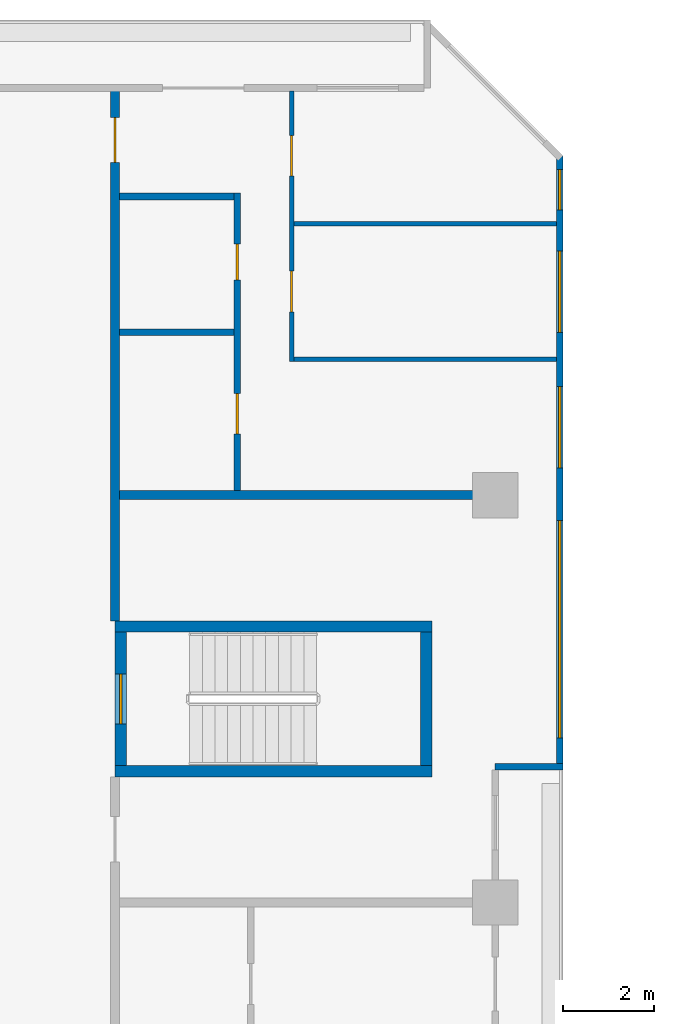
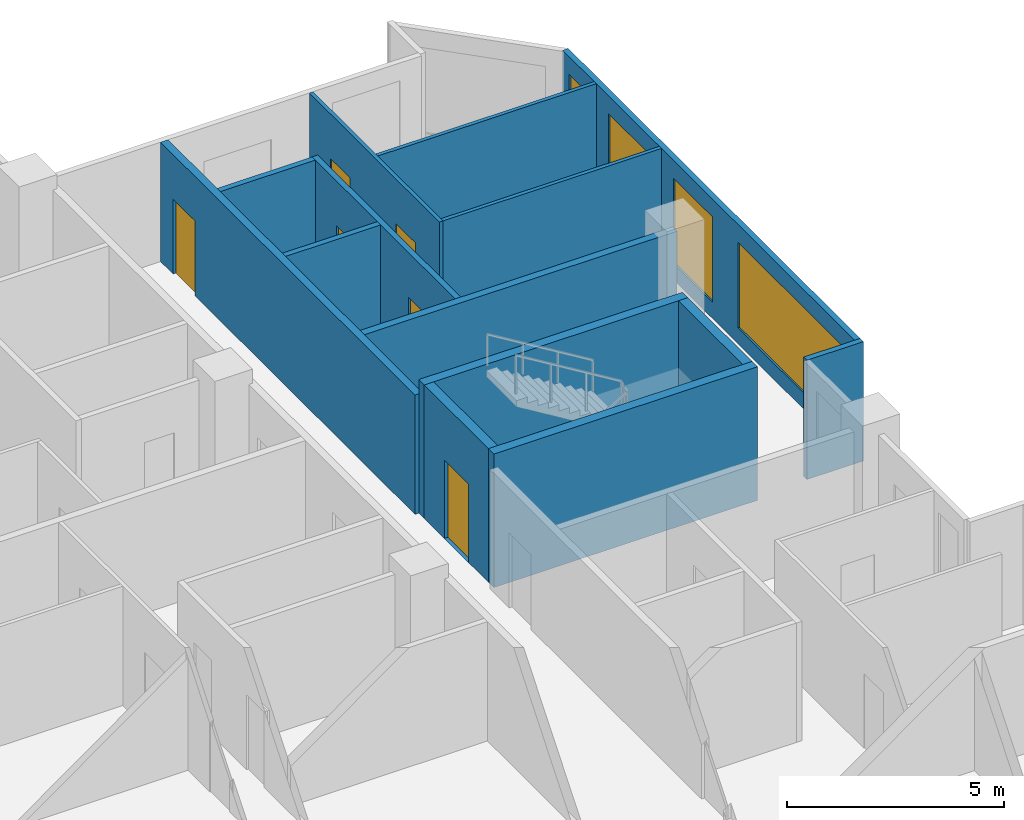
# One storey, part 11 of 16: 14 walls, 6 doors, 4 windows, 10 openings.
"""IFC4 building model written with IfcOpenShell, lengths in metres."""

import ifcopenshell
import ifcopenshell.guid

model = None  # the IFC model being written
_history = None  # IfcOwnerHistory: only IFC2X3 demands one
_inside = {}  # id of a spatial element -> (the spatial element, [elements in it])
_under = {}  # id of a project, library or spatial element -> (it, [spatial elements below it])
_declared = {}  # id of a project -> (the project, [libraries it declares])
_typed = {}  # id of a type object -> (the type object, [elements of that type])
_made_of = {}  # id of a material, layer set ... -> (it, [elements and type objects made of it])


def new_model(schema):
    """Start an empty IFC model of exactly this schema.

    Asked for "IFC4X3", IfcOpenShell would pick the latest addendum, in which some entities
    have other attributes; the version numbers below select the first issue.
    IFC2X3 requires an IfcOwnerHistory on every rooted entity: one is made here for all.
    """
    global model, _history
    if schema == "IFC4X3":
        model = ifcopenshell.file(schema_version=(4, 3, 0, 0))
    else:
        model = ifcopenshell.file(schema=schema)
    _inside.clear()
    _under.clear()
    _declared.clear()
    _typed.clear()
    _made_of.clear()
    _history = None
    if model.schema == "IFC2X3":
        org = make("IfcOrganization", Name="unknown")
        user = make(
            "IfcPersonAndOrganization",
            ThePerson=make("IfcPerson", FamilyName="unknown"),
            TheOrganization=org,
        )
        app = make(
            "IfcApplication",
            ApplicationDeveloper=org,
            Version="unknown",
            ApplicationFullName="unknown",
            ApplicationIdentifier="unknown",
        )
        _history = make(
            "IfcOwnerHistory",
            OwningUser=user,
            OwningApplication=app,
            ChangeAction="ADDED",
            CreationDate=0,
        )
    return model


def make(cls, **values):
    """One entity of the class cls with the attributes given. An attribute that is None is left unset."""
    return model.create_entity(
        cls, **{name: value for name, value in values.items() if value is not None}
    )


def rooted(cls, **values):
    """An entity with a GlobalId (a new one), such as an element, a storey or a relation."""
    return make(cls, GlobalId=ifcopenshell.guid.new(), OwnerHistory=_history, **values)


def si_unit(unit_type, name, prefix=None):
    """IfcSIUnit, for example si_unit("LENGTHUNIT", "METRE", prefix="MILLI")."""
    return make("IfcSIUnit", UnitType=unit_type, Prefix=prefix, Name=name)


def assignment(units):
    """IfcUnitAssignment: the units of a project."""
    return None if units is None else make("IfcUnitAssignment", Units=units)


def point(xyz):
    """IfcCartesianPoint."""
    return None if xyz is None else make("IfcCartesianPoint", Coordinates=xyz)


def direction(xyz):
    """IfcDirection."""
    return None if xyz is None else make("IfcDirection", DirectionRatios=xyz)


def frame(location, z_axis=None, x_axis=None):
    """IfcAxis2Placement3D, a coordinate frame: its origin and axes. An axis left out is left unset."""
    return make(
        "IfcAxis2Placement3D",
        Location=point(location),
        Axis=direction(z_axis),
        RefDirection=direction(x_axis),
    )


def frame_2d(location, x_axis=None):
    """IfcAxis2Placement2D, a coordinate frame in the plane: its origin and x axis."""
    return make(
        "IfcAxis2Placement2D", Location=point(location), RefDirection=direction(x_axis)
    )


def origin():
    """The frame at (0, 0, 0) with its axes left unset."""
    return frame((0.0, 0.0, 0.0))


def place(relative_to, where):
    """IfcLocalPlacement: puts the frame where relative to a parent placement (None: the world)."""
    return make(
        "IfcLocalPlacement", PlacementRelTo=relative_to, RelativePlacement=where
    )


def context(
    kind, dimensions, precision=None, world=None, true_north=None, identifier=None
):
    """IfcGeometricRepresentationContext, for example the 3D "Model" context."""
    return make(
        "IfcGeometricRepresentationContext",
        ContextIdentifier=identifier,
        ContextType=kind,
        CoordinateSpaceDimension=dimensions,
        Precision=precision,
        WorldCoordinateSystem=world,
        TrueNorth=true_north,
    )


def subcontext(parent, identifier, kind, view, scale=None):
    """IfcGeometricRepresentationSubContext, for example "Body" below "Model"."""
    return make(
        "IfcGeometricRepresentationSubContext",
        ContextIdentifier=identifier,
        ContextType=kind,
        ParentContext=parent,
        TargetScale=scale,
        TargetView=view,
    )


def project(units=None, contexts=None):
    """IfcProject with its units and contexts."""
    return rooted(
        "IfcProject",
        Name="project",
        RepresentationContexts=contexts,
        UnitsInContext=assignment(units),
    )


def spatial(cls, under=None, at=None, **own):
    """A site, building, storey or space (cls), placed at a placement, below another one or the project."""
    s = rooted(cls, ObjectPlacement=at, **own)
    if under is not None:
        _under.setdefault(under.id(), (under, []))[1].append(s)
    return s


def profile(cls, at=None, kind="AREA", **sizes):
    """A parametric profile (cls). Its sizes go by their IFC names, for example OverallWidth=200.0."""
    return make(cls, ProfileType=kind, Position=at, **sizes)


def rectangle(**sizes):
    """IfcRectangleProfileDef."""
    return profile("IfcRectangleProfileDef", **sizes)


def extrude(swept, where, along, depth):
    """IfcExtrudedAreaSolid: the profile swept, set in the frame where, extruded along a direction by depth."""
    return make(
        "IfcExtrudedAreaSolid",
        SweptArea=swept,
        Position=where,
        ExtrudedDirection=direction(along),
        Depth=depth,
    )


def shape(context_of_items, identifier, shape_type, items):
    """IfcShapeRepresentation: the items that make up one representation, for example the "Body"."""
    return make(
        "IfcShapeRepresentation",
        ContextOfItems=context_of_items,
        RepresentationIdentifier=identifier,
        RepresentationType=shape_type,
        Items=items,
    )


def material(Name=None, Category=None):
    """IfcMaterial."""
    return make("IfcMaterial", Name=Name, Category=Category)


def layer(
    of_material, thickness, ventilated=None, Name=None, Category=None, Priority=None
):
    """IfcMaterialLayer: one layer of a wall or slab, of a material (None: an air gap)."""
    return make(
        "IfcMaterialLayer",
        Material=of_material,
        LayerThickness=thickness,
        IsVentilated=ventilated,
        Name=Name,
        Category=Category,
        Priority=Priority,
    )


def layer_set(layers, Name=None):
    """IfcMaterialLayerSet."""
    return make("IfcMaterialLayerSet", MaterialLayers=layers, LayerSetName=Name)


def made_of(thing, what):
    """Note that an element or type object is made of a material, layer set ...; save() writes the relation."""
    if what is not None:
        _made_of.setdefault(what.id(), (what, []))[1].append(thing)
    return thing


def type_object(cls, material=None, **own):
    """A type object (cls), such as IfcWallType, which elements share."""
    return made_of(rooted(cls, **own), material)


def element(
    cls,
    number,
    at=None,
    inside=None,
    cuts=None,
    type_object=None,
    material=None,
    context=None,
    identifier="Body",
    shape_type=None,
    held_by="IfcProductDefinitionShape",
    body=None,
    shapes=None,
    **own,
):
    """One element of the class cls, such as IfcWall. Its Tag is "e" and its number.

    at: its placement. inside: the storey or other place that contains it. cuts: it is an
    opening in that element (IfcRelVoidsElement). A single representation is given by context,
    identifier, shape_type and body (its items); several are given by shapes. held_by: the class
    of the entity that holds the representations. save() writes the other relations.
    """
    e = rooted(cls, Tag="e%d" % number, ObjectPlacement=at, **own)
    if body is not None:
        shapes = [shape(context, identifier, shape_type, body)]
    if shapes is not None:
        e.Representation = make(held_by, Representations=shapes)
    if inside is not None:
        _inside.setdefault(inside.id(), (inside, []))[1].append(e)
    if cuts is not None:
        rooted(
            "IfcRelVoidsElement", RelatingBuildingElement=cuts, RelatedOpeningElement=e
        )
    if type_object is not None:
        _typed.setdefault(type_object.id(), (type_object, []))[1].append(e)
    return made_of(e, material)


def fill(opening, filler):
    """IfcRelFillsElement: the door or window that sits in an opening."""
    return rooted(
        "IfcRelFillsElement",
        RelatingOpeningElement=opening,
        RelatedBuildingElement=filler,
    )


def aggregate(whole, parts):
    """IfcRelAggregates: a whole, such as a stair, and the parts it consists of."""
    return rooted("IfcRelAggregates", RelatingObject=whole, RelatedObjects=parts)


def save(model, path):
    """Write the relations noted so far, then the file.

    IfcRelAggregates (storeys below a building ...), IfcRelContainedInSpatialStructure (elements
    in a storey), IfcRelDefinesByType, IfcRelAssociatesMaterial and IfcRelDeclares: one each for
    every whole, place, type object, material and project.
    """
    for whole, parts in _under.values():
        aggregate(whole, parts)
    for where, things in _inside.values():
        rooted(
            "IfcRelContainedInSpatialStructure",
            RelatedElements=things,
            RelatingStructure=where,
        )
    for kind, things in _typed.values():
        rooted("IfcRelDefinesByType", RelatedObjects=things, RelatingType=kind)
    for what, things in _made_of.values():
        rooted("IfcRelAssociatesMaterial", RelatedObjects=things, RelatingMaterial=what)
    for by, libraries in _declared.values():
        rooted("IfcRelDeclares", RelatingContext=by, RelatedDefinitions=libraries)
    model.write(path)


model = new_model("IFC4")

# Units and contexts
model_context = context("Model", 3, precision=1e-05, world=origin(), true_north=direction((0.0, 1.0)))
body_context = subcontext(model_context, "Body", "Model", "MODEL_VIEW")
ifc_project = project(units=[si_unit("LENGTHUNIT", "METRE"), si_unit("AREAUNIT", "SQUARE_METRE"), si_unit("VOLUMEUNIT", "CUBIC_METRE"), si_unit("PLANEANGLEUNIT", "RADIAN"), si_unit("MASSUNIT", "GRAM", prefix="KILO")], contexts=[model_context])

# Site, building, storey
site_placement = place(None, origin())
site = spatial("IfcSite", under=ifc_project, at=site_placement, CompositionType="ELEMENT")
building_placement = place(site_placement, origin())
building = spatial("IfcBuilding", under=site, at=building_placement, Name="Chenar Terraces", CompositionType="ELEMENT")
storey_placement = place(building_placement, frame((0.0, 0.0, 103.14990234375)))
storey = spatial("IfcBuildingStorey", under=building, at=storey_placement, Name="L23", CompositionType="ELEMENT", Elevation=103.14990234375)

# Walls
ifc_material_1 = material(Name="Concrete C70/85", Category="concrete")
ifc_layer_1 = layer(ifc_material_1, 0.25)
ifc_layer_set_1 = layer_set([ifc_layer_1], Name="Concrete C70/85")
wall_type_1 = type_object("IfcWallType", Name="Core wall 250 Concrete C70/85", PredefinedType="SHEAR", material=ifc_layer_set_1)
for number, where, z_axis, x_axis, name in (
    (1, (15.60009765625, 47.89990234375, 0.0), (0.0, 0.0, 1.0), (1.0, 0.0, 0.0), "Core wall ST4_S L23"),
    (2, (15.60009765625, 51.10009765625, 0.0), (0.0, 0.0, 1.0), (1.0, 0.0, 0.0), "Core wall ST4_N L23"),
):
    element("IfcWall", number, at=place(storey_placement, frame(where, z_axis=z_axis, x_axis=x_axis)), inside=storey, type_object=wall_type_1, Name=name, PredefinedType="SHEAR", context=body_context, shape_type="SweptSolid", body=[
        extrude(rectangle(XDim=7.0, YDim=0.25, at=frame_2d((3.5, 0.0))), origin(), (0.0, 0.0, 1.0), 3.75),
    ])

# Wall, opening, door
wall_1_placement = place(storey_placement, frame((15.72509765625, 48.02490234375, 0.0), z_axis=(0.0, 0.0, 1.0), x_axis=(0.0, 1.0, 0.0)))
wall_1 = element("IfcWall", 3, at=wall_1_placement, inside=storey, type_object=wall_type_1, Name="Core wall ST4_W L23", PredefinedType="SHEAR", context=body_context, shape_type="SweptSolid", body=[
    extrude(rectangle(XDim=2.9501953125, YDim=0.25, at=frame_2d((1.47509765625, 0.0))), origin(), (0.0, 0.0, 1.0), 3.75),
])
opening_1_placement = place(wall_1_placement, frame((0.925048828125, 0.0, 0.0)))
opening_1 = element("IfcOpeningElement", 4, at=opening_1_placement, cuts=wall_1, Name="Opening DL23-C9", PredefinedType="OPENING", context=body_context, shape_type="SweptSolid", body=[
    extrude(rectangle(XDim=1.10009765625, YDim=2.199951171875, at=frame_2d((0.550048828125, 1.10009765625))), frame((0.0, 0.135009765625, 0.0), z_axis=(0.0, -1.0, 0.0), x_axis=(1.0, 0.0, 0.0)), (0.0, 0.0, 1.0), 0.27001953125),
])
ifc_material_2 = material(Name="Steel-framed fire-resisting door leaf", Category="steel")
door_type_1 = type_object("IfcDoorType", Name="Stair fire door FD60 1100 x 2200", OperationType="SINGLE_SWING_LEFT", PredefinedType="DOOR", material=ifc_material_2)
door_1_placement = place(opening_1_placement, frame((1.10009765625, 0.0, 0.0), z_axis=(0.0, 0.0, 1.0), x_axis=(-1.0, 0.0, 0.0)))
door_1 = element("IfcDoor", 5, at=door_1_placement, inside=storey, type_object=door_type_1, Name="Stair door DL23-C9", OperationType="SINGLE_SWING_RIGHT", OverallHeight=2.199951171875, OverallWidth=1.10009765625, PredefinedType="DOOR", context=body_context, shape_type="SweptSolid", body=[
    extrude(rectangle(XDim=1.10009765625, YDim=2.199951171875, at=frame_2d((0.550048828125, 1.10009765625))), frame((0.0, 0.02490234375, 0.0), z_axis=(0.0, -1.0, 0.0), x_axis=(1.0, 0.0, 0.0)), (0.0, 0.0, 1.0), 0.050048828125),
])
fill(opening_1, door_1)

# Wall
wall_2_placement = place(storey_placement, frame((22.47509765625, 48.02490234375, 0.0), z_axis=(0.0, 0.0, 1.0), x_axis=(0.0, 1.0, 0.0)))
element("IfcWall", 6, at=wall_2_placement, inside=storey, type_object=wall_type_1, Name="Core wall ST4_E L23", PredefinedType="SHEAR", context=body_context, shape_type="SweptSolid", body=[
    extrude(rectangle(XDim=2.9501953125, YDim=0.25, at=frame_2d((1.47509765625, 0.0))), origin(), (0.0, 0.0, 1.0), 3.75),
])

# Wall, opening, door
ifc_material_3 = material(Name="Gypsum board on steel studs with fire boards", Category="steel")
ifc_layer_2 = layer(ifc_material_3, 0.199951171875)
ifc_layer_set_2 = layer_set([ifc_layer_2], Name="Gypsum board on steel studs with fire boards")
wall_type_2 = type_object("IfcWallType", Name="Corridor wall 200", PredefinedType="PARTITIONING", material=ifc_layer_set_2)
wall_3_placement = place(storey_placement, frame((15.60009765625, 51.22509765625, 0.0), z_axis=(0.0, 0.0, 1.0), x_axis=(0.0, 1.0, 0.0)))
wall_3 = element("IfcWall", 7, at=wall_3_placement, inside=storey, type_object=wall_type_2, Name="Partition L23-037", PredefinedType="PARTITIONING", context=body_context, shape_type="SweptSolid", body=[
    extrude(rectangle(XDim=11.700927734375, YDim=0.199951171875, at=frame_2d((5.8505859375, 0.0))), origin(), (0.0, 0.0, 1.0), 3.35009765625),
])
opening_2_placement = place(wall_3_placement, frame((10.125, 0.0, 0.0)))
opening_2 = element("IfcOpeningElement", 8, at=opening_2_placement, cuts=wall_3, Name="Opening DL23-33", PredefinedType="OPENING", context=body_context, shape_type="SweptSolid", body=[
    extrude(rectangle(XDim=1.0, YDim=2.10009765625, at=frame_2d((0.5, 1.050048828125))), frame((0.0, 0.10986328125, 0.0), z_axis=(0.0, -1.0, 0.0), x_axis=(1.0, 0.0, 0.0)), (0.0, 0.0, 1.0), 0.219970703125),
])
ifc_material_4 = material(Name="Steel-framed fire-resisting door leaf", Category="steel")
door_type_2 = type_object("IfcDoorType", Name="Fire door FD30S 1000 x 2100", OperationType="SINGLE_SWING_LEFT", PredefinedType="DOOR", material=ifc_material_4)
door_2_placement = place(opening_2_placement, frame((1.0, 0.0, 0.0), z_axis=(0.0, 0.0, 1.0), x_axis=(-1.0, 0.0, 0.0)))
door_2 = element("IfcDoor", 9, at=door_2_placement, inside=storey, type_object=door_type_2, Name="Door DL23-33", OperationType="SINGLE_SWING_LEFT", OverallHeight=2.10009765625, OverallWidth=1.0, PredefinedType="DOOR", context=body_context, shape_type="SweptSolid", body=[
    extrude(rectangle(XDim=1.0, YDim=2.10009765625, at=frame_2d((0.5, 1.050048828125))), frame((0.0, 0.02490234375, 0.0), z_axis=(0.0, -1.0, 0.0), x_axis=(1.0, 0.0, 0.0)), (0.0, 0.0, 1.0), 0.050048828125),
])
fill(opening_2, door_2)

# Wall, openings, windows
ifc_material_5 = material(Name="Aluminium framed glazing", Category="aluminium")
ifc_layer_3 = layer(ifc_material_5, 0.14990234375)
ifc_layer_set_3 = layer_set([ifc_layer_3], Name="Aluminium framed glazing")
wall_type_3 = type_object("IfcWallType", Name="Glazed flush facade wall 150", PredefinedType="SOLIDWALL", material=ifc_layer_set_3)
wall_4_placement = place(storey_placement, frame((25.425048828125, 48.074951171875, 0.0), z_axis=(0.0, 0.0, 1.0), x_axis=(0.0, 1.0, 0.0)))
wall_4 = element("IfcWall", 10, at=wall_4_placement, inside=storey, type_object=wall_type_3, Name="Glazed flush facade wall", PredefinedType="SOLIDWALL", context=body_context, shape_type="SweptSolid", body=[
    extrude(rectangle(XDim=13.425048828125, YDim=0.14990234375, at=frame_2d((6.71240234375, 0.0))), origin(), (0.0, 0.0, 1.0), 3.35009765625),
])
opening_3_placement = place(wall_4_placement, frame((0.5625, 0.0, 0.449951171875)))
opening_3 = element("IfcOpeningElement", 11, at=opening_3_placement, cuts=wall_4, Name="Opening W480x240", PredefinedType="OPENING", context=body_context, shape_type="SweptSolid", body=[
    extrude(rectangle(XDim=4.800048828125, YDim=2.39990234375, at=frame_2d((2.39990234375, 1.199951171875))), frame((0.0, 0.0849609375, 0.0), z_axis=(0.0, -1.0, 0.0), x_axis=(1.0, 0.0, 0.0)), (0.0, 0.0, 1.0), 0.169921875),
])
opening_4_placement = place(wall_4_placement, frame((6.52490234375, 0.0, 0.449951171875)))
opening_4 = element("IfcOpeningElement", 12, at=opening_4_placement, cuts=wall_4, Name="Opening W180x240", PredefinedType="OPENING", context=body_context, shape_type="SweptSolid", body=[
    extrude(rectangle(XDim=1.800048828125, YDim=2.39990234375, at=frame_2d((0.89990234375, 1.199951171875))), frame((0.0, 0.0849609375, 0.0), z_axis=(0.0, -1.0, 0.0), x_axis=(1.0, 0.0, 0.0)), (0.0, 0.0, 1.0), 0.169921875),
])
opening_5_placement = place(wall_4_placement, frame((9.52490234375, 0.0, 0.449951171875)))
opening_5 = element("IfcOpeningElement", 13, at=opening_5_placement, cuts=wall_4, Name="Opening W180x240", PredefinedType="OPENING", context=body_context, shape_type="SweptSolid", body=[
    extrude(rectangle(XDim=1.800048828125, YDim=2.39990234375, at=frame_2d((0.89990234375, 1.199951171875))), frame((0.0, 0.0849609375, 0.0), z_axis=(0.0, -1.0, 0.0), x_axis=(1.0, 0.0, 0.0)), (0.0, 0.0, 1.0), 0.169921875),
])
opening_6_placement = place(wall_4_placement, frame((12.22509765625, 0.0, 0.449951171875)))
opening_6 = element("IfcOpeningElement", 14, at=opening_6_placement, cuts=wall_4, Name="Opening W90x240", PredefinedType="OPENING", context=body_context, shape_type="SweptSolid", body=[
    extrude(rectangle(XDim=0.89990234375, YDim=2.39990234375, at=frame_2d((0.449951171875, 1.199951171875))), frame((0.0, 0.0849609375, 0.0), z_axis=(0.0, -1.0, 0.0), x_axis=(1.0, 0.0, 0.0)), (0.0, 0.0, 1.0), 0.169921875),
])
ifc_material_6 = material(Name="Low emissivity double glazing, aluminium frame", Category="aluminium")
window_type_1 = type_object("IfcWindowType", Name="Fixed light 1800 x 2400", PartitioningType="SINGLE_PANEL", PredefinedType="WINDOW", material=ifc_material_6)
window_1_placement = place(opening_4_placement, origin())
window_1 = element("IfcWindow", 15, at=window_1_placement, inside=storey, type_object=window_type_1, Name="Window", OverallHeight=2.39990234375, OverallWidth=1.800048828125, PartitioningType="SINGLE_PANEL", PredefinedType="WINDOW", context=body_context, shape_type="SweptSolid", body=[
    extrude(rectangle(XDim=1.800048828125, YDim=2.39990234375, at=frame_2d((0.89990234375, 1.199951171875))), frame((0.0, 0.030029296875, 0.0), z_axis=(0.0, -1.0, 0.0), x_axis=(1.0, 0.0, 0.0)), (0.0, 0.0, 1.0), 0.06005859375),
])
fill(opening_4, window_1)
window_2_placement = place(opening_5_placement, origin())
window_2 = element("IfcWindow", 16, at=window_2_placement, inside=storey, type_object=window_type_1, Name="Window", OverallHeight=2.39990234375, OverallWidth=1.800048828125, PartitioningType="SINGLE_PANEL", PredefinedType="WINDOW", context=body_context, shape_type="SweptSolid", body=[
    extrude(rectangle(XDim=1.800048828125, YDim=2.39990234375, at=frame_2d((0.89990234375, 1.199951171875))), frame((0.0, 0.030029296875, 0.0), z_axis=(0.0, -1.0, 0.0), x_axis=(1.0, 0.0, 0.0)), (0.0, 0.0, 1.0), 0.06005859375),
])
fill(opening_5, window_2)
ifc_material_7 = material(Name="Low emissivity double glazing, aluminium frame", Category="aluminium")
window_type_2 = type_object("IfcWindowType", Name="Fixed light 4800 x 2400", PartitioningType="SINGLE_PANEL", PredefinedType="WINDOW", material=ifc_material_7)
window_3_placement = place(opening_3_placement, origin())
window_3 = element("IfcWindow", 17, at=window_3_placement, inside=storey, type_object=window_type_2, Name="Window", OverallHeight=2.39990234375, OverallWidth=4.800048828125, PartitioningType="SINGLE_PANEL", PredefinedType="WINDOW", context=body_context, shape_type="SweptSolid", body=[
    extrude(rectangle(XDim=4.800048828125, YDim=2.39990234375, at=frame_2d((2.39990234375, 1.199951171875))), frame((0.0, 0.030029296875, 0.0), z_axis=(0.0, -1.0, 0.0), x_axis=(1.0, 0.0, 0.0)), (0.0, 0.0, 1.0), 0.06005859375),
])
fill(opening_3, window_3)
ifc_material_8 = material(Name="Low emissivity double glazing, aluminium frame", Category="aluminium")
window_type_3 = type_object("IfcWindowType", Name="Fixed light 900 x 2400", PartitioningType="SINGLE_PANEL", PredefinedType="WINDOW", material=ifc_material_8)
window_4_placement = place(opening_6_placement, origin())
window_4 = element("IfcWindow", 18, at=window_4_placement, inside=storey, type_object=window_type_3, Name="Window", OverallHeight=2.39990234375, OverallWidth=0.89990234375, PartitioningType="SINGLE_PANEL", PredefinedType="WINDOW", context=body_context, shape_type="SweptSolid", body=[
    extrude(rectangle(XDim=0.89990234375, YDim=2.39990234375, at=frame_2d((0.449951171875, 1.199951171875))), frame((0.0, 0.030029296875, 0.0), z_axis=(0.0, -1.0, 0.0), x_axis=(1.0, 0.0, 0.0)), (0.0, 0.0, 1.0), 0.06005859375),
])
fill(opening_6, window_4)

# Wall, openings, doors
ifc_material_9 = material(Name="Gypsum board on steel studs", Category="steel")
ifc_layer_4 = layer(ifc_material_9, 0.10009765625)
ifc_layer_set_4 = layer_set([ifc_layer_4], Name="Gypsum board on steel studs")
wall_type_4 = type_object("IfcWallType", Name="Gypsum partition 100", PredefinedType="PARTITIONING", material=ifc_layer_set_4)
wall_5_placement = place(storey_placement, frame((19.5, 56.949951171875, 0.0), z_axis=(0.0, 0.0, 1.0), x_axis=(0.0, 1.0, 0.0)))
wall_5 = element("IfcWall", 19, at=wall_5_placement, inside=storey, type_object=wall_type_4, Name="Partition L23-049", PredefinedType="PARTITIONING", context=body_context, shape_type="SweptSolid", body=[
    extrude(rectangle(XDim=5.97607421875, YDim=0.10009765625, at=frame_2d((2.988037109375, 0.0))), origin(), (0.0, 0.0, 1.0), 3.35009765625),
])
opening_7_placement = place(wall_5_placement, frame((1.10009765625, 0.0, 0.0)))
opening_7 = element("IfcOpeningElement", 20, at=opening_7_placement, cuts=wall_5, Name="Opening DL23-30", PredefinedType="OPENING", context=body_context, shape_type="SweptSolid", body=[
    extrude(rectangle(XDim=0.89990234375, YDim=2.10009765625, at=frame_2d((0.449951171875, 1.050048828125))), frame((0.0, 0.06005859375, 0.0), z_axis=(0.0, -1.0, 0.0), x_axis=(1.0, 0.0, 0.0)), (0.0, 0.0, 1.0), 0.1201171875),
])
opening_8_placement = place(wall_5_placement, frame((4.10009765625, 0.0, 0.0)))
opening_8 = element("IfcOpeningElement", 21, at=opening_8_placement, cuts=wall_5, Name="Opening DL23-31", PredefinedType="OPENING", context=body_context, shape_type="SweptSolid", body=[
    extrude(rectangle(XDim=0.89990234375, YDim=2.10009765625, at=frame_2d((0.449951171875, 1.050048828125))), frame((0.0, 0.06005859375, 0.0), z_axis=(0.0, -1.0, 0.0), x_axis=(1.0, 0.0, 0.0)), (0.0, 0.0, 1.0), 0.1201171875),
])
ifc_material_10 = material(Name="Veneered timber door leaf", Category="wood")
door_type_3 = type_object("IfcDoorType", Name="Door 900 x 2100", OperationType="SINGLE_SWING_LEFT", PredefinedType="DOOR", material=ifc_material_10)
door_3_placement = place(opening_7_placement, frame((0.89990234375, 0.0, 0.0), z_axis=(0.0, 0.0, 1.0), x_axis=(-1.0, 0.0, 0.0)))
door_3 = element("IfcDoor", 22, at=door_3_placement, inside=storey, type_object=door_type_3, Name="Door DL23-30", OperationType="SINGLE_SWING_RIGHT", OverallHeight=2.10009765625, OverallWidth=0.89990234375, PredefinedType="DOOR", context=body_context, shape_type="SweptSolid", body=[
    extrude(rectangle(XDim=0.89990234375, YDim=2.10009765625, at=frame_2d((0.449951171875, 1.050048828125))), frame((0.0, 0.02490234375, 0.0), z_axis=(0.0, -1.0, 0.0), x_axis=(1.0, 0.0, 0.0)), (0.0, 0.0, 1.0), 0.050048828125),
])
fill(opening_7, door_3)
door_4_placement = place(opening_8_placement, frame((0.89990234375, 0.0, 0.0), z_axis=(0.0, 0.0, 1.0), x_axis=(-1.0, 0.0, 0.0)))
door_4 = element("IfcDoor", 23, at=door_4_placement, inside=storey, type_object=door_type_3, Name="Door DL23-31", OperationType="SINGLE_SWING_RIGHT", OverallHeight=2.10009765625, OverallWidth=0.89990234375, PredefinedType="DOOR", context=body_context, shape_type="SweptSolid", body=[
    extrude(rectangle(XDim=0.89990234375, YDim=2.10009765625, at=frame_2d((0.449951171875, 1.050048828125))), frame((0.0, 0.02490234375, 0.0), z_axis=(0.0, -1.0, 0.0), x_axis=(1.0, 0.0, 0.0)), (0.0, 0.0, 1.0), 0.050048828125),
])
fill(opening_8, door_4)

# Walls
wall_6_placement = place(storey_placement, frame((19.550048828125, 57.0, 0.0), z_axis=(0.0, 0.0, 1.0), x_axis=(1.0, 0.0, 0.0)))
element("IfcWall", 24, at=wall_6_placement, inside=storey, type_object=wall_type_4, Name="Partition L23-050", PredefinedType="PARTITIONING", context=body_context, shape_type="SweptSolid", body=[
    extrude(rectangle(XDim=5.800048828125, YDim=0.10009765625, at=frame_2d((2.89990234375, 0.0))), origin(), (0.0, 0.0, 1.0), 3.35009765625),
])
wall_7_placement = place(storey_placement, frame((19.550048828125, 60.0, 0.0), z_axis=(0.0, 0.0, 1.0), x_axis=(1.0, 0.0, 0.0)))
element("IfcWall", 25, at=wall_7_placement, inside=storey, type_object=wall_type_4, Name="Partition L23-051", PredefinedType="PARTITIONING", context=body_context, shape_type="SweptSolid", body=[
    extrude(rectangle(XDim=5.801025390625, YDim=0.10009765625, at=frame_2d((2.900390625, 0.0))), origin(), (0.0, 0.0, 1.0), 3.35009765625),
])
ifc_material_11 = material(Name="Terracotta cladding on insulated backing", Category="masonry")
ifc_layer_5 = layer(ifc_material_11, 0.14990234375)
ifc_layer_set_5 = layer_set([ifc_layer_5], Name="Terracotta cladding on insulated backing")
wall_type_5 = type_object("IfcWallType", Name="Loggia return wall 150", PredefinedType="SOLIDWALL", material=ifc_layer_set_5)
wall_8_placement = place(storey_placement, frame((25.5, 48.0, 0.0), z_axis=(0.0, 0.0, 1.0), x_axis=(-1.0, 0.0, 0.0)))
element("IfcWall", 26, at=wall_8_placement, inside=storey, type_object=wall_type_5, Name="Loggia return wall", PredefinedType="SOLIDWALL", context=body_context, shape_type="SweptSolid", body=[
    extrude(rectangle(XDim=1.5, YDim=0.14990234375, at=frame_2d((0.75, 0.0))), origin(), (0.0, 0.0, 1.0), 3.35009765625),
])
ifc_material_12 = material(Name="Twin gypsum board on steel studs with mineral wool", Category="steel")
ifc_layer_6 = layer(ifc_material_12, 0.199951171875)
ifc_layer_set_6 = layer_set([ifc_layer_6], Name="Twin gypsum board on steel studs with mineral wool")
wall_type_6 = type_object("IfcWallType", Name="Unit demising wall 200", PredefinedType="PARTITIONING", material=ifc_layer_set_6)
wall_9_placement = place(storey_placement, frame((15.699951171875, 54.0, 0.0), z_axis=(0.0, 0.0, 1.0), x_axis=(1.0, 0.0, 0.0)))
element("IfcWall", 27, at=wall_9_placement, inside=storey, type_object=wall_type_6, Name="Partition L23-044", PredefinedType="PARTITIONING", context=body_context, shape_type="SweptSolid", body=[
    extrude(rectangle(XDim=8.300048828125, YDim=0.199951171875, at=frame_2d((4.14990234375, 0.0))), origin(), (0.0, 0.0, 1.0), 3.35009765625),
])
ifc_material_13 = material(Name="Moisture-resistant gypsum board on steel studs", Category="steel")
ifc_layer_7 = layer(ifc_material_13, 0.14990234375)
ifc_layer_set_7 = layer_set([ifc_layer_7], Name="Moisture-resistant gypsum board on steel studs")
wall_type_7 = type_object("IfcWallType", Name="Wet-room partition 150", PredefinedType="PARTITIONING", material=ifc_layer_set_7)
for number, where, z_axis, x_axis, name in (
    (28, (15.699951171875, 57.60009765625, 0.0), (0.0, 0.0, 1.0), (1.0, 0.0, 0.0), "Partition L23-045"),
    (29, (15.699951171875, 60.60009765625, 0.0), (0.0, 0.0, 1.0), (1.0, 0.0, 0.0), "Partition L23-046"),
):
    element("IfcWall", number, at=place(storey_placement, frame(where, z_axis=z_axis, x_axis=x_axis)), inside=storey, type_object=wall_type_7, Name=name, PredefinedType="PARTITIONING", context=body_context, shape_type="SweptSolid", body=[
        extrude(rectangle(XDim=2.525146484375, YDim=0.14990234375, at=frame_2d((1.2626953125, 0.0))), origin(), (0.0, 0.0, 1.0), 3.35009765625),
    ])

# Wall, openings, doors
wall_10_placement = place(storey_placement, frame((18.300048828125, 54.10009765625, 0.0), z_axis=(0.0, 0.0, 1.0), x_axis=(0.0, 1.0, 0.0)))
wall_10 = element("IfcWall", 30, at=wall_10_placement, inside=storey, type_object=wall_type_7, Name="Partition L23-047", PredefinedType="PARTITIONING", context=body_context, shape_type="SweptSolid", body=[
    extrude(rectangle(XDim=6.574951171875, YDim=0.14990234375, at=frame_2d((3.28759765625, 0.0))), origin(), (0.0, 0.0, 1.0), 3.35009765625),
])
opening_9_placement = place(wall_10_placement, frame((4.64990234375, 0.0, 0.0)))
opening_9 = element("IfcOpeningElement", 31, at=opening_9_placement, cuts=wall_10, Name="Opening DL23-29", PredefinedType="OPENING", context=body_context, shape_type="SweptSolid", body=[
    extrude(rectangle(XDim=0.800048828125, YDim=2.10009765625, at=frame_2d((0.39990234375, 1.050048828125))), frame((0.0, 0.0849609375, 0.0), z_axis=(0.0, -1.0, 0.0), x_axis=(1.0, 0.0, 0.0)), (0.0, 0.0, 1.0), 0.169921875),
])
opening_10_placement = place(wall_10_placement, frame((1.25, 0.0, 0.0)))
opening_10 = element("IfcOpeningElement", 32, at=opening_10_placement, cuts=wall_10, Name="Opening DL23-32", PredefinedType="OPENING", context=body_context, shape_type="SweptSolid", body=[
    extrude(rectangle(XDim=0.89990234375, YDim=2.10009765625, at=frame_2d((0.449951171875, 1.050048828125))), frame((0.0, 0.0849609375, 0.0), z_axis=(0.0, -1.0, 0.0), x_axis=(1.0, 0.0, 0.0)), (0.0, 0.0, 1.0), 0.169921875),
])
ifc_material_14 = material(Name="Veneered timber door leaf", Category="wood")
door_type_4 = type_object("IfcDoorType", Name="Door 800 x 2100", OperationType="SINGLE_SWING_LEFT", PredefinedType="DOOR", material=ifc_material_14)
door_5_placement = place(opening_9_placement, origin())
door_5 = element("IfcDoor", 33, at=door_5_placement, inside=storey, type_object=door_type_4, Name="Door DL23-29", OperationType="SINGLE_SWING_RIGHT", OverallHeight=2.10009765625, OverallWidth=0.800048828125, PredefinedType="DOOR", context=body_context, shape_type="SweptSolid", body=[
    extrude(rectangle(XDim=0.800048828125, YDim=2.10009765625, at=frame_2d((0.39990234375, 1.050048828125))), frame((0.0, 0.02490234375, 0.0), z_axis=(0.0, -1.0, 0.0), x_axis=(1.0, 0.0, 0.0)), (0.0, 0.0, 1.0), 0.050048828125),
])
fill(opening_9, door_5)
door_6_placement = place(opening_10_placement, origin())
door_6 = element("IfcDoor", 34, at=door_6_placement, inside=storey, type_object=door_type_3, Name="Door DL23-32", OperationType="SINGLE_SWING_RIGHT", OverallHeight=2.10009765625, OverallWidth=0.89990234375, PredefinedType="DOOR", context=body_context, shape_type="SweptSolid", body=[
    extrude(rectangle(XDim=0.89990234375, YDim=2.10009765625, at=frame_2d((0.449951171875, 1.050048828125))), frame((0.0, 0.02490234375, 0.0), z_axis=(0.0, -1.0, 0.0), x_axis=(1.0, 0.0, 0.0)), (0.0, 0.0, 1.0), 0.050048828125),
])
fill(opening_10, door_6)

save(model, "model.ifc")
